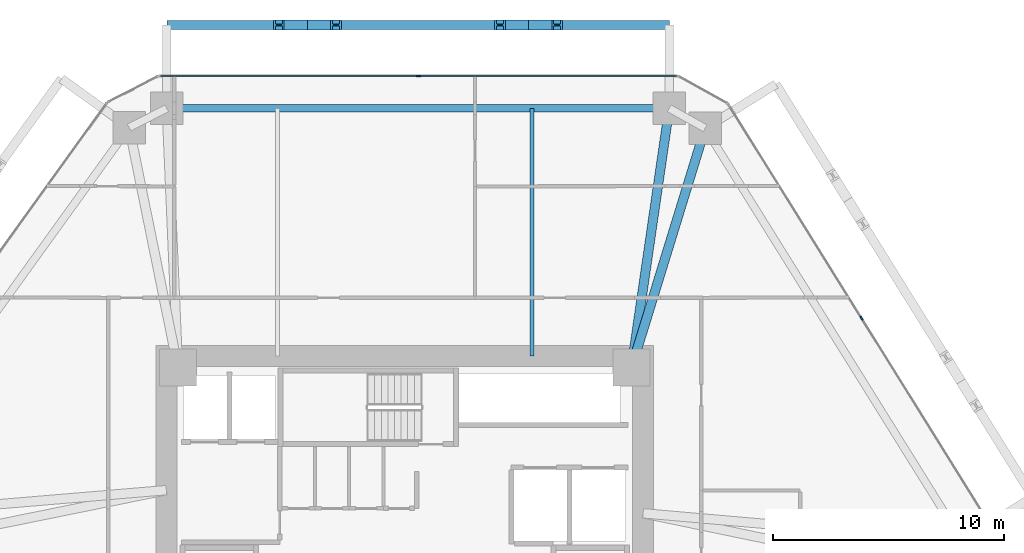
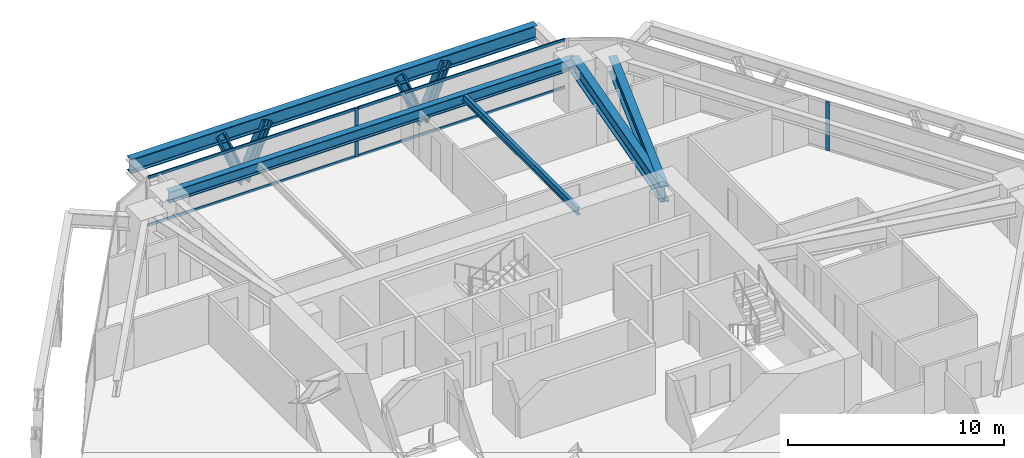
# One storey, part 8 of 15: 10 members, 5 beams, 2 elements without a shape of their own.
"""IFC4 building model written with IfcOpenShell, lengths in metres."""

import ifcopenshell
import ifcopenshell.guid

model = None  # the IFC model being written
_history = None  # IfcOwnerHistory: only IFC2X3 demands one
_inside = {}  # id of a spatial element -> (the spatial element, [elements in it])
_under = {}  # id of a project, library or spatial element -> (it, [spatial elements below it])
_declared = {}  # id of a project -> (the project, [libraries it declares])
_typed = {}  # id of a type object -> (the type object, [elements of that type])
_made_of = {}  # id of a material, layer set ... -> (it, [elements and type objects made of it])


def new_model(schema):
    """Start an empty IFC model of exactly this schema.

    Asked for "IFC4X3", IfcOpenShell would pick the latest addendum, in which some entities
    have other attributes; the version numbers below select the first issue.
    IFC2X3 requires an IfcOwnerHistory on every rooted entity: one is made here for all.
    """
    global model, _history
    if schema == "IFC4X3":
        model = ifcopenshell.file(schema_version=(4, 3, 0, 0))
    else:
        model = ifcopenshell.file(schema=schema)
    _inside.clear()
    _under.clear()
    _declared.clear()
    _typed.clear()
    _made_of.clear()
    _history = None
    if model.schema == "IFC2X3":
        org = make("IfcOrganization", Name="unknown")
        user = make(
            "IfcPersonAndOrganization",
            ThePerson=make("IfcPerson", FamilyName="unknown"),
            TheOrganization=org,
        )
        app = make(
            "IfcApplication",
            ApplicationDeveloper=org,
            Version="unknown",
            ApplicationFullName="unknown",
            ApplicationIdentifier="unknown",
        )
        _history = make(
            "IfcOwnerHistory",
            OwningUser=user,
            OwningApplication=app,
            ChangeAction="ADDED",
            CreationDate=0,
        )
    return model


def make(cls, **values):
    """One entity of the class cls with the attributes given. An attribute that is None is left unset."""
    return model.create_entity(
        cls, **{name: value for name, value in values.items() if value is not None}
    )


def rooted(cls, **values):
    """An entity with a GlobalId (a new one), such as an element, a storey or a relation."""
    return make(cls, GlobalId=ifcopenshell.guid.new(), OwnerHistory=_history, **values)


def si_unit(unit_type, name, prefix=None):
    """IfcSIUnit, for example si_unit("LENGTHUNIT", "METRE", prefix="MILLI")."""
    return make("IfcSIUnit", UnitType=unit_type, Prefix=prefix, Name=name)


def assignment(units):
    """IfcUnitAssignment: the units of a project."""
    return None if units is None else make("IfcUnitAssignment", Units=units)


def point(xyz):
    """IfcCartesianPoint."""
    return None if xyz is None else make("IfcCartesianPoint", Coordinates=xyz)


def direction(xyz):
    """IfcDirection."""
    return None if xyz is None else make("IfcDirection", DirectionRatios=xyz)


def frame(location, z_axis=None, x_axis=None):
    """IfcAxis2Placement3D, a coordinate frame: its origin and axes. An axis left out is left unset."""
    return make(
        "IfcAxis2Placement3D",
        Location=point(location),
        Axis=direction(z_axis),
        RefDirection=direction(x_axis),
    )


def frame_2d(location, x_axis=None):
    """IfcAxis2Placement2D, a coordinate frame in the plane: its origin and x axis."""
    return make(
        "IfcAxis2Placement2D", Location=point(location), RefDirection=direction(x_axis)
    )


def origin():
    """The frame at (0, 0, 0) with its axes left unset."""
    return frame((0.0, 0.0, 0.0))


def origin_2d():
    """The frame at (0, 0) in the plane with its x axis left unset."""
    return frame_2d((0.0, 0.0))


def place(relative_to, where):
    """IfcLocalPlacement: puts the frame where relative to a parent placement (None: the world)."""
    return make(
        "IfcLocalPlacement", PlacementRelTo=relative_to, RelativePlacement=where
    )


def context(
    kind, dimensions, precision=None, world=None, true_north=None, identifier=None
):
    """IfcGeometricRepresentationContext, for example the 3D "Model" context."""
    return make(
        "IfcGeometricRepresentationContext",
        ContextIdentifier=identifier,
        ContextType=kind,
        CoordinateSpaceDimension=dimensions,
        Precision=precision,
        WorldCoordinateSystem=world,
        TrueNorth=true_north,
    )


def subcontext(parent, identifier, kind, view, scale=None):
    """IfcGeometricRepresentationSubContext, for example "Body" below "Model"."""
    return make(
        "IfcGeometricRepresentationSubContext",
        ContextIdentifier=identifier,
        ContextType=kind,
        ParentContext=parent,
        TargetScale=scale,
        TargetView=view,
    )


def project(units=None, contexts=None):
    """IfcProject with its units and contexts."""
    return rooted(
        "IfcProject",
        Name="project",
        RepresentationContexts=contexts,
        UnitsInContext=assignment(units),
    )


def spatial(cls, under=None, at=None, **own):
    """A site, building, storey or space (cls), placed at a placement, below another one or the project."""
    s = rooted(cls, ObjectPlacement=at, **own)
    if under is not None:
        _under.setdefault(under.id(), (under, []))[1].append(s)
    return s


def profile(cls, at=None, kind="AREA", **sizes):
    """A parametric profile (cls). Its sizes go by their IFC names, for example OverallWidth=200.0."""
    return make(cls, ProfileType=kind, Position=at, **sizes)


def rectangle(**sizes):
    """IfcRectangleProfileDef."""
    return profile("IfcRectangleProfileDef", **sizes)


def i_section(**sizes):
    """IfcIShapeProfileDef."""
    return profile("IfcIShapeProfileDef", **sizes)


def extrude(swept, where, along, depth):
    """IfcExtrudedAreaSolid: the profile swept, set in the frame where, extruded along a direction by depth."""
    return make(
        "IfcExtrudedAreaSolid",
        SweptArea=swept,
        Position=where,
        ExtrudedDirection=direction(along),
        Depth=depth,
    )


def shape(context_of_items, identifier, shape_type, items):
    """IfcShapeRepresentation: the items that make up one representation, for example the "Body"."""
    return make(
        "IfcShapeRepresentation",
        ContextOfItems=context_of_items,
        RepresentationIdentifier=identifier,
        RepresentationType=shape_type,
        Items=items,
    )


def source(mapping_origin, context_of_items, identifier, shape_type, items):
    """IfcRepresentationMap: a shape defined once, which mapped items show again and again."""
    return make(
        "IfcRepresentationMap",
        MappingOrigin=mapping_origin,
        MappedRepresentation=shape(context_of_items, identifier, shape_type, items),
    )


def transform(
    local_origin,
    x_axis=None,
    y_axis=None,
    z_axis=None,
    scale=None,
    scale2=None,
    scale3=None,
    uniform=True,
):
    """IfcCartesianTransformationOperator3D, or its non-uniform kind. x_axis, y_axis, z_axis: its Axis1, 2, 3."""
    if uniform:
        return make(
            "IfcCartesianTransformationOperator3D",
            Axis1=direction(x_axis),
            Axis2=direction(y_axis),
            LocalOrigin=point(local_origin),
            Scale=scale,
            Axis3=direction(z_axis),
        )
    return make(
        "IfcCartesianTransformationOperator3DnonUniform",
        Axis1=direction(x_axis),
        Axis2=direction(y_axis),
        LocalOrigin=point(local_origin),
        Scale=scale,
        Axis3=direction(z_axis),
        Scale2=scale2,
        Scale3=scale3,
    )


def mapped(mapping_source, mapping_target):
    """IfcMappedItem: shows the shape of a source again, moved by a transform."""
    return make(
        "IfcMappedItem", MappingSource=mapping_source, MappingTarget=mapping_target
    )


def material(Name=None, Category=None):
    """IfcMaterial."""
    return make("IfcMaterial", Name=Name, Category=Category)


def layer(
    of_material, thickness, ventilated=None, Name=None, Category=None, Priority=None
):
    """IfcMaterialLayer: one layer of a wall or slab, of a material (None: an air gap)."""
    return make(
        "IfcMaterialLayer",
        Material=of_material,
        LayerThickness=thickness,
        IsVentilated=ventilated,
        Name=Name,
        Category=Category,
        Priority=Priority,
    )


def layer_set(layers, Name=None):
    """IfcMaterialLayerSet."""
    return make("IfcMaterialLayerSet", MaterialLayers=layers, LayerSetName=Name)


def material_profile(
    of_material, cross_section, Name=None, Category=None, Priority=None
):
    """IfcMaterialProfile: a cross section and its material."""
    return make(
        "IfcMaterialProfile",
        Name=Name,
        Material=of_material,
        Profile=cross_section,
        Priority=Priority,
        Category=Category,
    )


def profile_set(profiles, Name=None, composite=None):
    """IfcMaterialProfileSet."""
    return make(
        "IfcMaterialProfileSet",
        Name=Name,
        MaterialProfiles=profiles,
        CompositeProfile=composite,
    )


def made_of(thing, what):
    """Note that an element or type object is made of a material, layer set ...; save() writes the relation."""
    if what is not None:
        _made_of.setdefault(what.id(), (what, []))[1].append(thing)
    return thing


def type_object(cls, material=None, **own):
    """A type object (cls), such as IfcWallType, which elements share."""
    return made_of(rooted(cls, **own), material)


def type_shapes(of_type, sources):
    """Give a type object the sources (RepresentationMaps) that its elements show as mapped items."""
    of_type.RepresentationMaps = sources


def element(
    cls,
    number,
    at=None,
    inside=None,
    cuts=None,
    type_object=None,
    material=None,
    context=None,
    identifier="Body",
    shape_type=None,
    held_by="IfcProductDefinitionShape",
    body=None,
    shapes=None,
    **own,
):
    """One element of the class cls, such as IfcWall. Its Tag is "e" and its number.

    at: its placement. inside: the storey or other place that contains it. cuts: it is an
    opening in that element (IfcRelVoidsElement). A single representation is given by context,
    identifier, shape_type and body (its items); several are given by shapes. held_by: the class
    of the entity that holds the representations. save() writes the other relations.
    """
    e = rooted(cls, Tag="e%d" % number, ObjectPlacement=at, **own)
    if body is not None:
        shapes = [shape(context, identifier, shape_type, body)]
    if shapes is not None:
        e.Representation = make(held_by, Representations=shapes)
    if inside is not None:
        _inside.setdefault(inside.id(), (inside, []))[1].append(e)
    if cuts is not None:
        rooted(
            "IfcRelVoidsElement", RelatingBuildingElement=cuts, RelatedOpeningElement=e
        )
    if type_object is not None:
        _typed.setdefault(type_object.id(), (type_object, []))[1].append(e)
    return made_of(e, material)


def aggregate(whole, parts):
    """IfcRelAggregates: a whole, such as a stair, and the parts it consists of."""
    return rooted("IfcRelAggregates", RelatingObject=whole, RelatedObjects=parts)


def save(model, path):
    """Write the relations noted so far, then the file.

    IfcRelAggregates (storeys below a building ...), IfcRelContainedInSpatialStructure (elements
    in a storey), IfcRelDefinesByType, IfcRelAssociatesMaterial and IfcRelDeclares: one each for
    every whole, place, type object, material and project.
    """
    for whole, parts in _under.values():
        aggregate(whole, parts)
    for where, things in _inside.values():
        rooted(
            "IfcRelContainedInSpatialStructure",
            RelatedElements=things,
            RelatingStructure=where,
        )
    for kind, things in _typed.values():
        rooted("IfcRelDefinesByType", RelatedObjects=things, RelatingType=kind)
    for what, things in _made_of.values():
        rooted("IfcRelAssociatesMaterial", RelatedObjects=things, RelatingMaterial=what)
    for by, libraries in _declared.values():
        rooted("IfcRelDeclares", RelatingContext=by, RelatedDefinitions=libraries)
    model.write(path)


model = new_model("IFC4")

# Units and contexts
model_context = context("Model", 3, precision=1e-05, world=origin(), true_north=direction((0.0, 1.0)))
body_context = subcontext(model_context, "Body", "Model", "MODEL_VIEW")
ifc_project = project(units=[si_unit("LENGTHUNIT", "METRE"), si_unit("AREAUNIT", "SQUARE_METRE"), si_unit("VOLUMEUNIT", "CUBIC_METRE"), si_unit("PLANEANGLEUNIT", "RADIAN"), si_unit("MASSUNIT", "GRAM", prefix="KILO")], contexts=[model_context])

# Site, building, storey
site_placement = place(None, origin())
site = spatial("IfcSite", under=ifc_project, at=site_placement, CompositionType="ELEMENT")
building_placement = place(site_placement, origin())
building = spatial("IfcBuilding", under=site, at=building_placement, Name="Durnholm Broadcast Tower", CompositionType="ELEMENT")
storey_placement = place(building_placement, frame((0.0, 0.0, 81.300048828125)))
storey = spatial("IfcBuildingStorey", under=building, at=storey_placement, Name="L21", CompositionType="ELEMENT", Elevation=81.300048828125)

# Beams
ifc_material_1 = material(Name="Steel ASTM A992 Grade 50", Category="steel")
ifc_material_profile_1 = material_profile(ifc_material_1, i_section(OverallWidth=0.3291015625, OverallDepth=0.635009765625, WebThickness=0.017822265625, FlangeThickness=0.031005859375, FilletRadius=0.02783203125, at=origin_2d()), Name="W24X162")
ifc_profile_set_1 = profile_set([ifc_material_profile_1], Name="Steel ASTM A992 Grade 50")
beam_type_1 = type_object("IfcBeamType", Name="STL-SP-W24X162", PredefinedType="SPANDREL", material=ifc_profile_set_1)
shared_shape_1 = source(origin(), body_context, "Body", "SweptSolid", [
    extrude(i_section(OverallWidth=0.3291015625, OverallDepth=0.635009765625, WebThickness=0.017822265625, FlangeThickness=0.031005859375, FilletRadius=0.02783203125, at=origin_2d()), origin(), (0.0, 0.0, 1.0), 21.7138671875),
])
type_shapes(beam_type_1, [shared_shape_1])
beam_1_placement = place(storey_placement, frame((-10.28271484375, 19.0, 2.427490234375), z_axis=(1.0, 0.0, 0.0), x_axis=(0.0, 1.0, 0.0)))
element("IfcBeam", 1, at=beam_1_placement, inside=storey, type_object=beam_type_1, Name="L21 perimeter spandrel girder 05", PredefinedType="SPANDREL", context=body_context, shape_type="MappedRepresentation", body=[
    mapped(shared_shape_1, transform((0.0, 0.0, 0.0), x_axis=(1.0, 0.0, 0.0), y_axis=(0.0, 1.0, 0.0), z_axis=(0.0, 0.0, 1.0), scale=1.0)),
])
ifc_material_profile_2 = material_profile(ifc_material_1, i_section(OverallWidth=0.404052734375, OverallDepth=0.885009765625, WebThickness=0.0244140625, FlangeThickness=0.0439453125, FilletRadius=0.03564453125, at=origin_2d()), Name="W33X291")
ifc_profile_set_2 = profile_set([ifc_material_profile_2], Name="Steel ASTM A992 Grade 50")
beam_type_2 = type_object("IfcBeamType", Name="STL-GR-W33X291", PredefinedType="USERDEFINED", material=ifc_profile_set_2)
shared_shape_2 = source(origin(), body_context, "Body", "SweptSolid", [
    extrude(i_section(OverallWidth=0.404052734375, OverallDepth=0.885009765625, WebThickness=0.0244140625, FlangeThickness=0.0439453125, FilletRadius=0.03564453125, at=origin_2d()), origin(), (0.0, 0.0, 1.0), 11.318115234375),
])
beam_2_placement = place(storey_placement, frame((9.800048828125, 7.800048828125, 2.302490234375), z_axis=(0.144114595679, 0.989561005352, 0.0), x_axis=(-0.989561005352, 0.144114595679, 0.0)))
element("IfcBeam", 2, at=beam_2_placement, inside=storey, type_object=beam_type_2, Name="L21 radial primary floor girder 06", ObjectType="GIRDER", PredefinedType="USERDEFINED", context=body_context, shape_type="MappedRepresentation", body=[
    mapped(shared_shape_2, transform((0.0, 0.0, 0.0), x_axis=(1.0, 0.0, 0.0), y_axis=(0.0, 1.0, 0.0), z_axis=(0.0, 0.0, 1.0), scale=1.0)),
])
shared_shape_3 = source(origin(), body_context, "Body", "SweptSolid", [
    extrude(i_section(OverallWidth=0.404052734375, OverallDepth=0.885009765625, WebThickness=0.0244140625, FlangeThickness=0.0439453125, FilletRadius=0.03564453125, at=origin_2d()), origin(), (0.0, 0.0, 1.0), 10.817138671875),
])
type_shapes(beam_type_2, [shared_shape_2, shared_shape_3])
beam_3_placement = place(storey_placement, frame((9.800048828125, 7.800048828125, 2.302490234375), z_axis=(0.294219068418, 0.955738007918, 0.0), x_axis=(-0.955738007918, 0.294219068418, 0.0)))
element("IfcBeam", 3, at=beam_3_placement, inside=storey, type_object=beam_type_2, Name="L21 radial primary floor girder 07", ObjectType="GIRDER", PredefinedType="USERDEFINED", context=body_context, shape_type="MappedRepresentation", body=[
    mapped(shared_shape_3, transform((0.0, 0.0, 0.0), x_axis=(1.0, 0.0, 0.0), y_axis=(0.0, 1.0, 0.0), z_axis=(0.0, 0.0, 1.0), scale=1.0)),
])
ifc_material_profile_3 = material_profile(ifc_material_1, i_section(OverallWidth=0.180908203125, OverallDepth=0.417236328125, WebThickness=0.010986328125, FlangeThickness=0.018310546875, FilletRadius=0.01904296875, at=origin_2d()), Name="W16X57")
ifc_profile_set_3 = profile_set([ifc_material_profile_3], Name="Steel ASTM A992 Grade 50")
beam_type_3 = type_object("IfcBeamType", Name="STL-BJ-W16X57", PredefinedType="JOIST", material=ifc_profile_set_3)
shared_shape_4 = source(origin(), body_context, "Body", "SweptSolid", [
    extrude(i_section(OverallWidth=0.180908203125, OverallDepth=0.417236328125, WebThickness=0.010986328125, FlangeThickness=0.018310546875, FilletRadius=0.01904296875, at=origin_2d()), origin(), (0.0, 0.0, 1.0), 10.699951171875),
])
type_shapes(beam_type_3, [shared_shape_4])
beam_4_placement = place(storey_placement, frame((5.5, 8.300048828125, 2.5361328125), z_axis=(0.0, 1.0, 0.0), x_axis=(-1.0, 0.0, 0.0)))
element("IfcBeam", 4, at=beam_4_placement, inside=storey, type_object=beam_type_3, Name="L21 secondary floor joist 4.2", PredefinedType="JOIST", context=body_context, shape_type="MappedRepresentation", body=[
    mapped(shared_shape_4, transform((0.0, 0.0, 0.0), x_axis=(1.0, 0.0, 0.0), y_axis=(0.0, 1.0, 0.0), z_axis=(0.0, 0.0, 1.0), scale=1.0)),
])
ifc_material_profile_4 = material_profile(ifc_material_1, i_section(OverallWidth=0.385009765625, OverallDepth=0.802978515625, WebThickness=0.023681640625, FlangeThickness=0.0419921875, FilletRadius=0.032958984375, at=origin_2d()), Name="W30X261")
ifc_profile_set_4 = profile_set([ifc_material_profile_4], Name="Steel ASTM A992 Grade 50")
beam_type_4 = type_object("IfcBeamType", Name="BM-EXO-TIE", PredefinedType="USERDEFINED", material=ifc_profile_set_4)
shared_shape_5 = source(origin(), body_context, "Body", "SweptSolid", [
    extrude(i_section(OverallWidth=0.385009765625, OverallDepth=0.802978515625, WebThickness=0.023681640625, FlangeThickness=0.0419921875, FilletRadius=0.032958984375, at=origin_2d()), origin(), (0.0, 0.0, 1.0), 21.7138671875),
])
type_shapes(beam_type_4, [shared_shape_5])
beam_5_placement = place(storey_placement, frame((11.43115234375, 22.60009765625, 2.008544921875), z_axis=(-1.0, 0.0, 0.0), x_axis=(0.0, -1.0, 0.0)))
element("IfcBeam", 5, at=beam_5_placement, inside=storey, type_object=beam_type_4, Name="L21 exoskeleton collector spandrel F4", PredefinedType="SPANDREL", context=body_context, shape_type="MappedRepresentation", body=[
    mapped(shared_shape_5, transform((0.0, 0.0, 0.0), x_axis=(1.0, 0.0, 0.0), y_axis=(0.0, 1.0, 0.0), z_axis=(0.0, 0.0, 1.0), scale=1.0)),
])

# Members
ifc_material_2 = material(Name="Steel ASTM A913 Grade 65", Category="steel")
ifc_material_profile_5 = material_profile(ifc_material_2, i_section(OverallWidth=0.43212890625, OverallDepth=0.497802734375, WebThickness=0.0556640625, FlangeThickness=0.0888671875, FilletRadius=0.030517578125, at=origin_2d()), Name="W14X500")
ifc_profile_set_5 = profile_set([ifc_material_profile_5], Name="Steel ASTM A913 Grade 65")
member_type_1 = type_object("IfcMemberType", Name="STL-DG-W14X500", PredefinedType="BRACE", material=ifc_profile_set_5)
shared_shape_6 = source(origin(), body_context, "Body", "SweptSolid", [
    extrude(i_section(OverallWidth=0.43212890625, OverallDepth=0.497802734375, WebThickness=0.0556640625, FlangeThickness=0.0888671875, FilletRadius=0.030517578125, at=origin_2d()), origin(), (0.0, 0.0, 1.0), 3.243896484375),
])
type_shapes(member_type_1, [shared_shape_6])
for number, where, z_axis, x_axis, name in (
    (6, (5.351318359375, 22.60009765625, -0.991455078125), (0.380378804119, 0.0, 0.924830776616), (0.0, 1.0, 0.0), "L21 stand-off diagrid brace F4.D1.1"),
    (7, (5.351318359375, 22.60009765625, -0.991455078125), (-0.380378804119, 0.0, 0.924830776616), (0.0, -1.0, 0.0), "L21 stand-off diagrid brace F4.D1.2"),
    (8, (-4.202880859375, 22.60009765625, -0.991455078125), (0.380378804119, 0.0, 0.924830776616), (0.0, 1.0, 0.0), "L21 stand-off diagrid brace F4.D2.1"),
    (9, (-4.202880859375, 22.60009765625, -0.991455078125), (-0.380378804119, 0.0, 0.924830776616), (0.0, -1.0, 0.0), "L21 stand-off diagrid brace F4.D2.2"),
):
    element("IfcMember", number, at=place(storey_placement, frame(where, z_axis=z_axis, x_axis=x_axis)), inside=storey, type_object=member_type_1, Name=name, PredefinedType="BRACE", context=body_context, shape_type="MappedRepresentation", body=[
        mapped(shared_shape_6, transform((0.0, 0.0, 0.0), x_axis=(1.0, 0.0, 0.0), y_axis=(0.0, 1.0, 0.0), z_axis=(0.0, 0.0, 1.0), scale=1.0)),
    ])

# Curtain wall, members
ifc_material_3 = material(Name="Aluminium and Solar Control IGU", Category="aluminium")
ifc_layer = layer(ifc_material_3, 0.18994140625)
ifc_layer_set = layer_set([ifc_layer], Name="Aluminium and Solar Control IGU")
curtain_wall_type = type_object("IfcCurtainWallType", Name="CW-SYS-3", PredefinedType="NOTDEFINED", material=ifc_layer_set)
curtain_wall_1_placement = place(storey_placement, origin())
curtain_wall_1 = element("IfcCurtainWall", 10, at=curtain_wall_1_placement, inside=storey, type_object=curtain_wall_type, Name="L21 curtain wall CW-Z12-VIS CW-L21-F04", PredefinedType="NOTDEFINED")
ifc_material_4 = material(Name="Aluminium 6063-T6", Category="aluminium")
ifc_material_profile_6 = material_profile(ifc_material_4, rectangle(XDim=0.070068359375, YDim=0.14990234375, at=origin_2d()), Name="CWT70X150")
ifc_profile_set_6 = profile_set([ifc_material_profile_6], Name="Aluminium 6063-T6")
member_type_2 = type_object("IfcMemberType", Name="CW-SYS-3-TRN", PredefinedType="USERDEFINED", material=ifc_profile_set_6)
shared_shape_7 = source(origin(), body_context, "Body", "SweptSolid", [
    extrude(rectangle(XDim=0.070068359375, YDim=0.14990234375, at=origin_2d()), origin(), (0.0, 0.0, 1.0), 11.10205078125),
])
type_shapes(member_type_2, [shared_shape_7])
member_1_placement = place(storey_placement, frame((-10.55029296875, 20.39990234375, 0.034912109375), z_axis=(1.0, 0.0, 0.0), x_axis=(0.0, 1.0, 0.0)))
member_1 = element("IfcMember", 11, at=member_1_placement, type_object=member_type_2, Name="CW-Z12-VIS transom 1.1", ObjectType="TRANSOM", PredefinedType="USERDEFINED", context=body_context, shape_type="MappedRepresentation", body=[
    mapped(shared_shape_7, transform((0.0, 0.0, 0.0), x_axis=(1.0, 0.0, 0.0), y_axis=(0.0, 1.0, 0.0), z_axis=(0.0, 0.0, 1.0), scale=1.0)),
])
member_2_placement = place(storey_placement, frame((-10.55029296875, 20.39990234375, 2.724853515625), z_axis=(1.0, 0.0, 0.0), x_axis=(0.0, 1.0, 0.0)))
member_2 = element("IfcMember", 12, at=member_2_placement, type_object=member_type_2, Name="CW-Z12-VIS transom 1.2", ObjectType="TRANSOM", PredefinedType="USERDEFINED", context=body_context, shape_type="MappedRepresentation", body=[
    mapped(shared_shape_7, transform((0.0, 0.0, 0.0), x_axis=(1.0, 0.0, 0.0), y_axis=(0.0, 1.0, 0.0), z_axis=(0.0, 0.0, 1.0), scale=1.0)),
])
member_3_placement = place(storey_placement, frame((0.621826171875, 20.39990234375, 0.034912109375), z_axis=(1.0, 0.0, 0.0), x_axis=(0.0, 1.0, 0.0)))
member_3 = element("IfcMember", 13, at=member_3_placement, type_object=member_type_2, Name="CW-Z12-VIS transom 2.1", ObjectType="TRANSOM", PredefinedType="USERDEFINED", context=body_context, shape_type="MappedRepresentation", body=[
    mapped(shared_shape_7, transform((0.0, 0.0, 0.0), x_axis=(1.0, 0.0, 0.0), y_axis=(0.0, 1.0, 0.0), z_axis=(0.0, 0.0, 1.0), scale=1.0)),
])
member_4_placement = place(storey_placement, frame((0.621826171875, 20.39990234375, 2.724853515625), z_axis=(1.0, 0.0, 0.0), x_axis=(0.0, 1.0, 0.0)))
member_4 = element("IfcMember", 14, at=member_4_placement, type_object=member_type_2, Name="CW-Z12-VIS transom 2.2", ObjectType="TRANSOM", PredefinedType="USERDEFINED", context=body_context, shape_type="MappedRepresentation", body=[
    mapped(shared_shape_7, transform((0.0, 0.0, 0.0), x_axis=(1.0, 0.0, 0.0), y_axis=(0.0, 1.0, 0.0), z_axis=(0.0, 0.0, 1.0), scale=1.0)),
])
ifc_material_profile_7 = material_profile(ifc_material_4, rectangle(XDim=0.070068359375, YDim=0.18994140625, at=origin_2d()), Name="CWM70X190")
ifc_profile_set_7 = profile_set([ifc_material_profile_7], Name="Aluminium 6063-T6")
member_type_3 = type_object("IfcMemberType", Name="CW-SYS-3-MUL", PredefinedType="MULLION", material=ifc_profile_set_7)
shared_shape_8 = source(origin(), body_context, "Body", "SweptSolid", [
    extrude(rectangle(XDim=0.070068359375, YDim=0.18994140625, at=origin_2d()), origin(), (0.0, 0.0, 1.0), 2.760009765625),
])
type_shapes(member_type_3, [shared_shape_8])
member_5_placement = place(storey_placement, frame((0.5869140625, 20.39990234375, 0.0), z_axis=(0.0, 0.0, 1.0), x_axis=(0.0, 1.0, 0.0)))
member_5 = element("IfcMember", 15, at=member_5_placement, type_object=member_type_3, Name="CW-Z12-VIS mullion 2", PredefinedType="MULLION", context=body_context, shape_type="MappedRepresentation", body=[
    mapped(shared_shape_8, transform((0.0, 0.0, 0.0), x_axis=(1.0, 0.0, 0.0), y_axis=(0.0, 1.0, 0.0), z_axis=(0.0, 0.0, 1.0), scale=1.0)),
])
aggregate(curtain_wall_1, [member_5, member_1, member_2, member_3, member_4])

# Curtain wall, member
curtain_wall_2_placement = place(storey_placement, origin())
curtain_wall_2 = element("IfcCurtainWall", 16, at=curtain_wall_2_placement, inside=storey, type_object=curtain_wall_type, Name="L21 curtain wall CW-Z12-VIS CW-L21-F06", PredefinedType="NOTDEFINED")
member_6_placement = place(storey_placement, frame((19.741943359375, 9.93212890625, 0.0), z_axis=(0.0, 0.0, 1.0), x_axis=(0.848875785503, 0.528592376777, 0.0)))
member_6 = element("IfcMember", 17, at=member_6_placement, type_object=member_type_3, Name="CW-Z12-VIS mullion 2", PredefinedType="MULLION", context=body_context, shape_type="MappedRepresentation", body=[
    mapped(shared_shape_8, transform((0.0, 0.0, 0.0), x_axis=(1.0, 0.0, 0.0), y_axis=(0.0, 1.0, 0.0), z_axis=(0.0, 0.0, 1.0), scale=1.0)),
])
aggregate(curtain_wall_2, [member_6])

save(model, "model.ifc")
